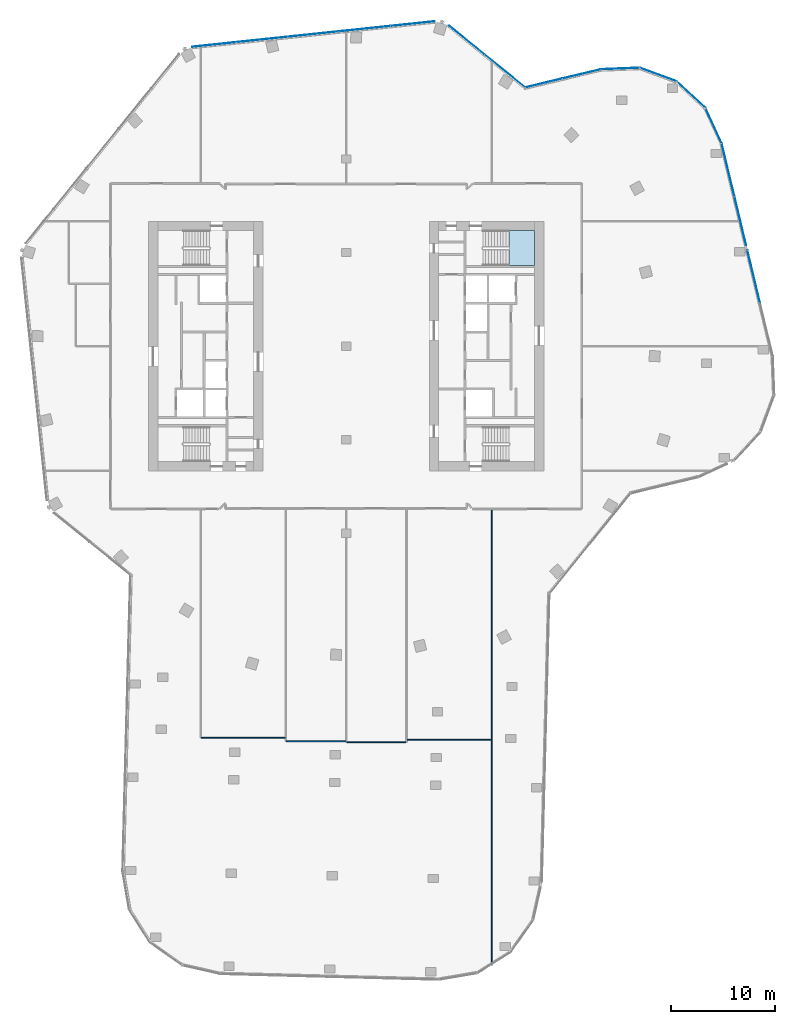
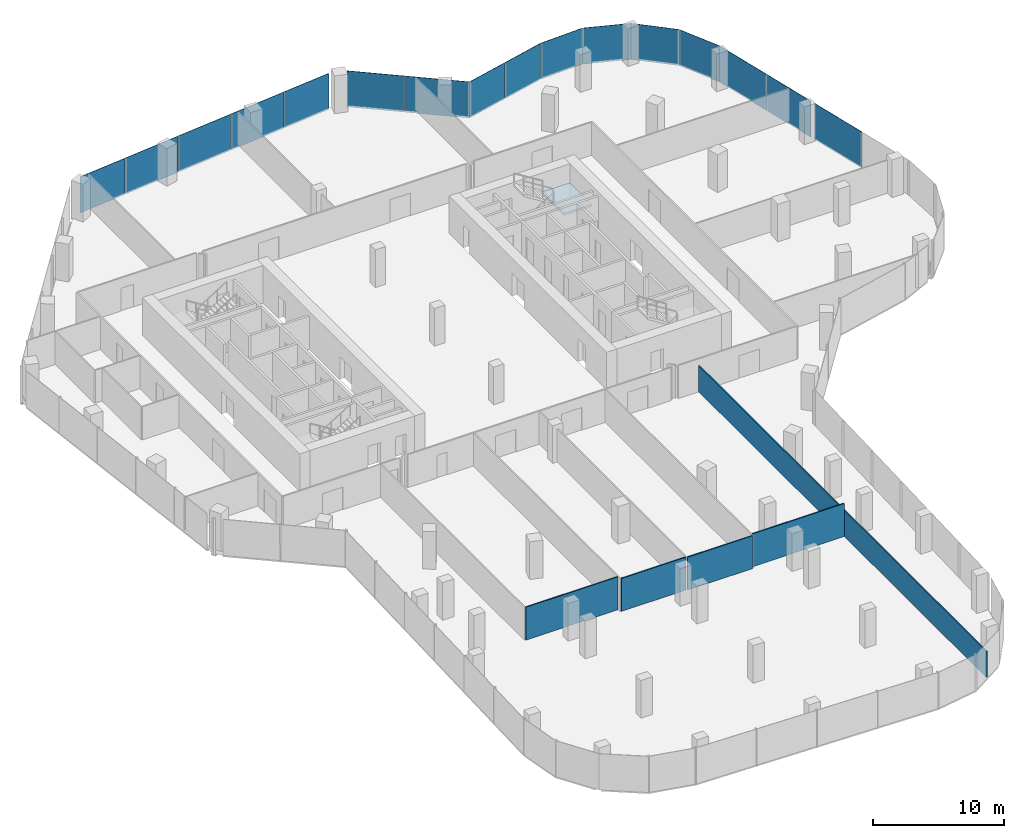
# One storey, part 19 of 26: 16 plates, 5 walls, 1 slab, 9 elements without a shape of their own.
"""IFC4 building model written with IfcOpenShell, lengths in metres."""

import ifcopenshell
import ifcopenshell.guid

model = None  # the IFC model being written
_history = None  # IfcOwnerHistory: only IFC2X3 demands one
_inside = {}  # id of a spatial element -> (the spatial element, [elements in it])
_under = {}  # id of a project, library or spatial element -> (it, [spatial elements below it])
_declared = {}  # id of a project -> (the project, [libraries it declares])
_typed = {}  # id of a type object -> (the type object, [elements of that type])
_made_of = {}  # id of a material, layer set ... -> (it, [elements and type objects made of it])


def new_model(schema):
    """Start an empty IFC model of exactly this schema.

    Asked for "IFC4X3", IfcOpenShell would pick the latest addendum, in which some entities
    have other attributes; the version numbers below select the first issue.
    IFC2X3 requires an IfcOwnerHistory on every rooted entity: one is made here for all.
    """
    global model, _history
    if schema == "IFC4X3":
        model = ifcopenshell.file(schema_version=(4, 3, 0, 0))
    else:
        model = ifcopenshell.file(schema=schema)
    _inside.clear()
    _under.clear()
    _declared.clear()
    _typed.clear()
    _made_of.clear()
    _history = None
    if model.schema == "IFC2X3":
        org = make("IfcOrganization", Name="unknown")
        user = make(
            "IfcPersonAndOrganization",
            ThePerson=make("IfcPerson", FamilyName="unknown"),
            TheOrganization=org,
        )
        app = make(
            "IfcApplication",
            ApplicationDeveloper=org,
            Version="unknown",
            ApplicationFullName="unknown",
            ApplicationIdentifier="unknown",
        )
        _history = make(
            "IfcOwnerHistory",
            OwningUser=user,
            OwningApplication=app,
            ChangeAction="ADDED",
            CreationDate=0,
        )
    return model


def make(cls, **values):
    """One entity of the class cls with the attributes given. An attribute that is None is left unset."""
    return model.create_entity(
        cls, **{name: value for name, value in values.items() if value is not None}
    )


def rooted(cls, **values):
    """An entity with a GlobalId (a new one), such as an element, a storey or a relation."""
    return make(cls, GlobalId=ifcopenshell.guid.new(), OwnerHistory=_history, **values)


def si_unit(unit_type, name, prefix=None):
    """IfcSIUnit, for example si_unit("LENGTHUNIT", "METRE", prefix="MILLI")."""
    return make("IfcSIUnit", UnitType=unit_type, Prefix=prefix, Name=name)


def assignment(units):
    """IfcUnitAssignment: the units of a project."""
    return None if units is None else make("IfcUnitAssignment", Units=units)


def point(xyz):
    """IfcCartesianPoint."""
    return None if xyz is None else make("IfcCartesianPoint", Coordinates=xyz)


def direction(xyz):
    """IfcDirection."""
    return None if xyz is None else make("IfcDirection", DirectionRatios=xyz)


def frame(location, z_axis=None, x_axis=None):
    """IfcAxis2Placement3D, a coordinate frame: its origin and axes. An axis left out is left unset."""
    return make(
        "IfcAxis2Placement3D",
        Location=point(location),
        Axis=direction(z_axis),
        RefDirection=direction(x_axis),
    )


def frame_2d(location, x_axis=None):
    """IfcAxis2Placement2D, a coordinate frame in the plane: its origin and x axis."""
    return make(
        "IfcAxis2Placement2D", Location=point(location), RefDirection=direction(x_axis)
    )


def origin():
    """The frame at (0, 0, 0) with its axes left unset."""
    return frame((0.0, 0.0, 0.0))


def origin_2d():
    """The frame at (0, 0) in the plane with its x axis left unset."""
    return frame_2d((0.0, 0.0))


def place(relative_to, where):
    """IfcLocalPlacement: puts the frame where relative to a parent placement (None: the world)."""
    return make(
        "IfcLocalPlacement", PlacementRelTo=relative_to, RelativePlacement=where
    )


def context(
    kind, dimensions, precision=None, world=None, true_north=None, identifier=None
):
    """IfcGeometricRepresentationContext, for example the 3D "Model" context."""
    return make(
        "IfcGeometricRepresentationContext",
        ContextIdentifier=identifier,
        ContextType=kind,
        CoordinateSpaceDimension=dimensions,
        Precision=precision,
        WorldCoordinateSystem=world,
        TrueNorth=true_north,
    )


def subcontext(parent, identifier, kind, view, scale=None):
    """IfcGeometricRepresentationSubContext, for example "Body" below "Model"."""
    return make(
        "IfcGeometricRepresentationSubContext",
        ContextIdentifier=identifier,
        ContextType=kind,
        ParentContext=parent,
        TargetScale=scale,
        TargetView=view,
    )


def project(units=None, contexts=None):
    """IfcProject with its units and contexts."""
    return rooted(
        "IfcProject",
        Name="project",
        RepresentationContexts=contexts,
        UnitsInContext=assignment(units),
    )


def spatial(cls, under=None, at=None, **own):
    """A site, building, storey or space (cls), placed at a placement, below another one or the project."""
    s = rooted(cls, ObjectPlacement=at, **own)
    if under is not None:
        _under.setdefault(under.id(), (under, []))[1].append(s)
    return s


def polyline(points):
    """IfcPolyline through the points."""
    return make("IfcPolyline", Points=[point(p) for p in points])


def profile(cls, at=None, kind="AREA", **sizes):
    """A parametric profile (cls). Its sizes go by their IFC names, for example OverallWidth=200.0."""
    return make(cls, ProfileType=kind, Position=at, **sizes)


def rectangle(**sizes):
    """IfcRectangleProfileDef."""
    return profile("IfcRectangleProfileDef", **sizes)


def outline(outer, holes=None, kind="AREA"):
    """IfcArbitraryClosedProfileDef: a profile drawn as a closed curve; with holes, ...WithVoids."""
    if holes is None:
        return make("IfcArbitraryClosedProfileDef", ProfileType=kind, OuterCurve=outer)
    return make(
        "IfcArbitraryProfileDefWithVoids",
        ProfileType=kind,
        OuterCurve=outer,
        InnerCurves=holes,
    )


def extrude(swept, where, along, depth):
    """IfcExtrudedAreaSolid: the profile swept, set in the frame where, extruded along a direction by depth."""
    return make(
        "IfcExtrudedAreaSolid",
        SweptArea=swept,
        Position=where,
        ExtrudedDirection=direction(along),
        Depth=depth,
    )


def shape(context_of_items, identifier, shape_type, items):
    """IfcShapeRepresentation: the items that make up one representation, for example the "Body"."""
    return make(
        "IfcShapeRepresentation",
        ContextOfItems=context_of_items,
        RepresentationIdentifier=identifier,
        RepresentationType=shape_type,
        Items=items,
    )


def material(Name=None, Category=None):
    """IfcMaterial."""
    return make("IfcMaterial", Name=Name, Category=Category)


def layer(
    of_material, thickness, ventilated=None, Name=None, Category=None, Priority=None
):
    """IfcMaterialLayer: one layer of a wall or slab, of a material (None: an air gap)."""
    return make(
        "IfcMaterialLayer",
        Material=of_material,
        LayerThickness=thickness,
        IsVentilated=ventilated,
        Name=Name,
        Category=Category,
        Priority=Priority,
    )


def layer_set(layers, Name=None):
    """IfcMaterialLayerSet."""
    return make("IfcMaterialLayerSet", MaterialLayers=layers, LayerSetName=Name)


def made_of(thing, what):
    """Note that an element or type object is made of a material, layer set ...; save() writes the relation."""
    if what is not None:
        _made_of.setdefault(what.id(), (what, []))[1].append(thing)
    return thing


def type_object(cls, material=None, **own):
    """A type object (cls), such as IfcWallType, which elements share."""
    return made_of(rooted(cls, **own), material)


def element(
    cls,
    number,
    at=None,
    inside=None,
    cuts=None,
    type_object=None,
    material=None,
    context=None,
    identifier="Body",
    shape_type=None,
    held_by="IfcProductDefinitionShape",
    body=None,
    shapes=None,
    **own,
):
    """One element of the class cls, such as IfcWall. Its Tag is "e" and its number.

    at: its placement. inside: the storey or other place that contains it. cuts: it is an
    opening in that element (IfcRelVoidsElement). A single representation is given by context,
    identifier, shape_type and body (its items); several are given by shapes. held_by: the class
    of the entity that holds the representations. save() writes the other relations.
    """
    e = rooted(cls, Tag="e%d" % number, ObjectPlacement=at, **own)
    if body is not None:
        shapes = [shape(context, identifier, shape_type, body)]
    if shapes is not None:
        e.Representation = make(held_by, Representations=shapes)
    if inside is not None:
        _inside.setdefault(inside.id(), (inside, []))[1].append(e)
    if cuts is not None:
        rooted(
            "IfcRelVoidsElement", RelatingBuildingElement=cuts, RelatedOpeningElement=e
        )
    if type_object is not None:
        _typed.setdefault(type_object.id(), (type_object, []))[1].append(e)
    return made_of(e, material)


def aggregate(whole, parts):
    """IfcRelAggregates: a whole, such as a stair, and the parts it consists of."""
    return rooted("IfcRelAggregates", RelatingObject=whole, RelatedObjects=parts)


def save(model, path):
    """Write the relations noted so far, then the file.

    IfcRelAggregates (storeys below a building ...), IfcRelContainedInSpatialStructure (elements
    in a storey), IfcRelDefinesByType, IfcRelAssociatesMaterial and IfcRelDeclares: one each for
    every whole, place, type object, material and project.
    """
    for whole, parts in _under.values():
        aggregate(whole, parts)
    for where, things in _inside.values():
        rooted(
            "IfcRelContainedInSpatialStructure",
            RelatedElements=things,
            RelatingStructure=where,
        )
    for kind, things in _typed.values():
        rooted("IfcRelDefinesByType", RelatedObjects=things, RelatingType=kind)
    for what, things in _made_of.values():
        rooted("IfcRelAssociatesMaterial", RelatedObjects=things, RelatingMaterial=what)
    for by, libraries in _declared.values():
        rooted("IfcRelDeclares", RelatingContext=by, RelatedDefinitions=libraries)
    model.write(path)


model = new_model("IFC4")

# Units and contexts
model_context = context("Model", 3, precision=1e-05, world=origin(), true_north=direction((0.0, 1.0)))
body_context = subcontext(model_context, "Body", "Model", "MODEL_VIEW")
ifc_project = project(units=[si_unit("LENGTHUNIT", "METRE"), si_unit("AREAUNIT", "SQUARE_METRE"), si_unit("VOLUMEUNIT", "CUBIC_METRE"), si_unit("PLANEANGLEUNIT", "RADIAN"), si_unit("MASSUNIT", "GRAM", prefix="KILO")], contexts=[model_context])

# Site, building, storey
site_placement = place(None, origin())
site = spatial("IfcSite", under=ifc_project, at=site_placement, CompositionType="ELEMENT")
building_placement = place(site_placement, origin())
building = spatial("IfcBuilding", under=site, at=building_placement, Name="Orlundy Tower", CompositionType="ELEMENT")
storey_placement = place(building_placement, frame((0.0, 0.0, 214.0)))
storey = spatial("IfcBuildingStorey", under=building, at=storey_placement, Name="L56", CompositionType="ELEMENT", Elevation=214.0)

# Curtain wall, plates
ifc_material_1 = material(Name="Aluminium bronze anodised", Category="aluminium")
curtain_wall_type = type_object("IfcCurtainWallType", Name="CW1 wall", PredefinedType="NOTDEFINED", material=ifc_material_1)
curtain_wall_1_placement = place(storey_placement, origin())
curtain_wall_1 = element("IfcCurtainWall", 1, at=curtain_wall_1_placement, inside=storey, type_object=curtain_wall_type, Name="CW1 run 04", PredefinedType="NOTDEFINED")
ifc_material_2 = material(Name="Tinted glass", Category="glass")
ifc_layer_1 = layer(ifc_material_2, 0.031982421875)
ifc_layer_set_1 = layer_set([ifc_layer_1], Name="CW1 glass panel 32")
plate_type = type_object("IfcPlateType", Name="CW1 glass panel 32", PredefinedType="CURTAIN_PANEL", material=ifc_layer_set_1)
plate_1_placement = place(storey_placement, frame((-12.695556640625, 28.99609375, -0.2802734375), z_axis=(0.0, 0.0, 1.0), x_axis=(0.994520875843, 0.104538162943, 0.0)))
plate_1 = element("IfcPlate", 2, at=plate_1_placement, type_object=plate_type, Name="CW1 panel", PredefinedType="CURTAIN_PANEL", context=body_context, shape_type="SweptSolid", body=[
    extrude(rectangle(XDim=4.228759765625, YDim=0.031982421875, at=origin_2d()), origin(), (0.0, 0.0, 1.0), 3.360107421875),
])
plate_2_placement = place(storey_placement, frame((-8.096435546875, 29.4794921875, -0.2802734375), z_axis=(0.0, 0.0, 1.0), x_axis=(0.994520875843, 0.104538162943, 0.0)))
plate_2 = element("IfcPlate", 3, at=plate_2_placement, type_object=plate_type, Name="CW1 panel", PredefinedType="CURTAIN_PANEL", context=body_context, shape_type="SweptSolid", body=[
    extrude(rectangle(XDim=4.92041015625, YDim=0.031982421875, at=origin_2d()), origin(), (0.0, 0.0, 1.0), 3.360107421875),
])
plate_3_placement = place(storey_placement, frame((-3.153076171875, 29.9990234375, -0.2802734375), z_axis=(0.0, 0.0, 1.0), x_axis=(0.994520875843, 0.104538162943, 0.0)))
plate_3 = element("IfcPlate", 4, at=plate_3_placement, type_object=plate_type, Name="CW1 panel", PredefinedType="CURTAIN_PANEL", context=body_context, shape_type="SweptSolid", body=[
    extrude(rectangle(XDim=4.92041015625, YDim=0.031982421875, at=origin_2d()), origin(), (0.0, 0.0, 1.0), 3.360107421875),
])
plate_4_placement = place(storey_placement, frame((1.7900390625, 30.518798828125, -0.2802734375), z_axis=(0.0, 0.0, 1.0), x_axis=(0.994520875843, 0.104538162943, 0.0)))
plate_4 = element("IfcPlate", 5, at=plate_4_placement, type_object=plate_type, Name="CW1 panel", PredefinedType="CURTAIN_PANEL", context=body_context, shape_type="SweptSolid", body=[
    extrude(rectangle(XDim=4.92041015625, YDim=0.031982421875, at=origin_2d()), origin(), (0.0, 0.0, 1.0), 3.360107421875),
])
plate_5_placement = place(storey_placement, frame((6.3896484375, 31.002197265625, -0.2802734375), z_axis=(0.0, 0.0, 1.0), x_axis=(0.994520875843, 0.104538162943, 0.0)))
plate_5 = element("IfcPlate", 6, at=plate_5_placement, type_object=plate_type, Name="CW1 panel", PredefinedType="CURTAIN_PANEL", context=body_context, shape_type="SweptSolid", body=[
    extrude(rectangle(XDim=4.229248046875, YDim=0.031982421875, at=origin_2d()), origin(), (0.0, 0.0, 1.0), 3.360107421875),
])
aggregate(curtain_wall_1, [plate_1, plate_2, plate_3, plate_4, plate_5])

curtain_wall_2_placement = place(storey_placement, origin())
curtain_wall_2 = element("IfcCurtainWall", 7, at=curtain_wall_2_placement, inside=storey, type_object=curtain_wall_type, Name="CW1 run 05", PredefinedType="NOTDEFINED")
plate_6_placement = place(storey_placement, frame((11.583251953125, 29.433837890625, -0.2802734375), z_axis=(0.0, 0.0, 1.0), x_axis=(0.777128847743, -0.629341524139, 0.0)))
plate_6 = element("IfcPlate", 8, at=plate_6_placement, type_object=plate_type, Name="CW1 panel", PredefinedType="CURTAIN_PANEL", context=body_context, shape_type="SweptSolid", body=[
    extrude(rectangle(XDim=4.37646484375, YDim=0.031982421875, at=origin_2d()), origin(), (0.0, 0.0, 1.0), 3.360107421875),
])
plate_7_placement = place(storey_placement, frame((15.2705078125, 26.44775390625, -0.2802734375), z_axis=(0.0, 0.0, 1.0), x_axis=(0.777128847743, -0.629341524139, 0.0)))
plate_7 = element("IfcPlate", 9, at=plate_7_placement, type_object=plate_type, Name="CW1 panel", PredefinedType="CURTAIN_PANEL", context=body_context, shape_type="SweptSolid", body=[
    extrude(rectangle(XDim=5.012939453125, YDim=0.031982421875, at=origin_2d()), origin(), (0.0, 0.0, 1.0), 3.360107421875),
])
aggregate(curtain_wall_2, [plate_6, plate_7])

curtain_wall_3_placement = place(storey_placement, origin())
curtain_wall_3 = element("IfcCurtainWall", 10, at=curtain_wall_3_placement, inside=storey, type_object=curtain_wall_type, Name="CW1 run 06", PredefinedType="NOTDEFINED")
plate_8_placement = place(storey_placement, frame((18.997802734375, 25.2978515625, -0.2802734375), z_axis=(0.0, 0.0, 1.0), x_axis=(0.972349931339, 0.233528608579, 0.0)))
plate_8 = element("IfcPlate", 11, at=plate_8_placement, type_object=plate_type, Name="CW1 panel", PredefinedType="CURTAIN_PANEL", context=body_context, shape_type="SweptSolid", body=[
    extrude(rectangle(XDim=3.66015625, YDim=0.031982421875, at=origin_2d()), origin(), (0.0, 0.0, 1.0), 3.360107421875),
])
plate_9_placement = place(storey_placement, frame((22.640625, 26.172607421875, -0.2802734375), z_axis=(0.0, 0.0, 1.0), x_axis=(0.972349931339, 0.233528608579, 0.0)))
plate_9 = element("IfcPlate", 12, at=plate_9_placement, type_object=plate_type, Name="CW1 panel", PredefinedType="CURTAIN_PANEL", context=body_context, shape_type="SweptSolid", body=[
    extrude(rectangle(XDim=3.732177734375, YDim=0.031982421875, at=origin_2d()), origin(), (0.0, 0.0, 1.0), 3.360107421875),
])
aggregate(curtain_wall_3, [plate_8, plate_9])

# Curtain wall, plate
curtain_wall_4_placement = place(storey_placement, origin())
curtain_wall_4 = element("IfcCurtainWall", 13, at=curtain_wall_4_placement, inside=storey, type_object=curtain_wall_type, Name="CW1 run 07", PredefinedType="NOTDEFINED")
plate_10_placement = place(storey_placement, frame((26.368408203125, 26.688232421875, -0.2802734375), z_axis=(0.0, 0.0, 1.0), x_axis=(0.999234640913, 0.039116906831, 0.0)))
plate_10 = element("IfcPlate", 14, at=plate_10_placement, type_object=plate_type, Name="CW1 panel", PredefinedType="CURTAIN_PANEL", context=body_context, shape_type="SweptSolid", body=[
    extrude(rectangle(XDim=3.73046875, YDim=0.031982421875, at=origin_2d()), origin(), (0.0, 0.0, 1.0), 3.360107421875),
])
aggregate(curtain_wall_4, [plate_10])

curtain_wall_5_placement = place(storey_placement, origin())
curtain_wall_5 = element("IfcCurtainWall", 15, at=curtain_wall_5_placement, inside=storey, type_object=curtain_wall_type, Name="CW1 run 08", PredefinedType="NOTDEFINED")
plate_11_placement = place(storey_placement, frame((30.001708984375, 26.1083984375, -0.2802734375), z_axis=(0.0, 0.0, 1.0), x_axis=(0.938200265188, -0.346092852283, 0.0)))
plate_11 = element("IfcPlate", 16, at=plate_11_placement, type_object=plate_type, Name="CW1 panel", PredefinedType="CURTAIN_PANEL", context=body_context, shape_type="SweptSolid", body=[
    extrude(rectangle(XDim=3.772216796875, YDim=0.031982421875, at=origin_2d()), origin(), (0.0, 0.0, 1.0), 3.360107421875),
])
aggregate(curtain_wall_5, [plate_11])

curtain_wall_6_placement = place(storey_placement, origin())
curtain_wall_6 = element("IfcCurtainWall", 17, at=curtain_wall_6_placement, inside=storey, type_object=curtain_wall_type, Name="CW1 run 09", PredefinedType="NOTDEFINED")
plate_12_placement = place(storey_placement, frame((33.15625, 24.175537109375, -0.2802734375), z_axis=(0.0, 0.0, 1.0), x_axis=(0.734348182738, -0.678772971258, 0.0)))
plate_12 = element("IfcPlate", 18, at=plate_12_placement, type_object=plate_type, Name="CW1 panel", PredefinedType="CURTAIN_PANEL", context=body_context, shape_type="SweptSolid", body=[
    extrude(rectangle(XDim=3.77197265625, YDim=0.031982421875, at=origin_2d()), origin(), (0.0, 0.0, 1.0), 3.360107421875),
])
aggregate(curtain_wall_6, [plate_12])

curtain_wall_7_placement = place(storey_placement, origin())
curtain_wall_7 = element("IfcCurtainWall", 19, at=curtain_wall_7_placement, inside=storey, type_object=curtain_wall_type, Name="CW1 run 010", PredefinedType="NOTDEFINED")
plate_13_placement = place(storey_placement, frame((35.32177734375, 21.201416015625, -0.2802734375), z_axis=(0.0, 0.0, 1.0), x_axis=(0.418493445182, -0.908219817192, 0.0)))
plate_13 = element("IfcPlate", 20, at=plate_13_placement, type_object=plate_type, Name="CW1 panel", PredefinedType="CURTAIN_PANEL", context=body_context, shape_type="SweptSolid", body=[
    extrude(rectangle(XDim=3.729736328125, YDim=0.031982421875, at=origin_2d()), origin(), (0.0, 0.0, 1.0), 3.360107421875),
])
aggregate(curtain_wall_7, [plate_13])

# Curtain wall, plates
curtain_wall_8_placement = place(storey_placement, origin())
curtain_wall_8 = element("IfcCurtainWall", 21, at=curtain_wall_8_placement, inside=storey, type_object=curtain_wall_type, Name="CW1 run 011", PredefinedType="NOTDEFINED")
plate_14_placement = place(storey_placement, frame((36.7275390625, 16.924560546875, -0.2802734375), z_axis=(0.0, 0.0, 1.0), x_axis=(0.233472005748, -0.972363523859, 0.0)))
plate_14 = element("IfcPlate", 22, at=plate_14_placement, type_object=plate_type, Name="CW1 panel", PredefinedType="CURTAIN_PANEL", context=body_context, shape_type="SweptSolid", body=[
    extrude(rectangle(XDim=5.216064453125, YDim=0.031982421875, at=origin_2d()), origin(), (0.0, 0.0, 1.0), 3.360107421875),
])
plate_15_placement = place(storey_placement, frame((37.907470703125, 12.010498046875, -0.2802734375), z_axis=(0.0, 0.0, 1.0), x_axis=(0.233472005748, -0.972363523859, 0.0)))
plate_15 = element("IfcPlate", 23, at=plate_15_placement, type_object=plate_type, Name="CW1 panel", PredefinedType="CURTAIN_PANEL", context=body_context, shape_type="SweptSolid", body=[
    extrude(rectangle(XDim=4.79150390625, YDim=0.031982421875, at=origin_2d()), origin(), (0.0, 0.0, 1.0), 3.360107421875),
])
plate_16_placement = place(storey_placement, frame((39.180908203125, 6.706787109375, -0.2802734375), z_axis=(0.0, 0.0, 1.0), x_axis=(0.233472005748, -0.972363523859, 0.0)))
plate_16 = element("IfcPlate", 24, at=plate_16_placement, type_object=plate_type, Name="CW1 panel", PredefinedType="CURTAIN_PANEL", context=body_context, shape_type="SweptSolid", body=[
    extrude(rectangle(XDim=5.2001953125, YDim=0.031982421875, at=origin_2d()), origin(), (0.0, 0.0, 1.0), 3.360107421875),
])
aggregate(curtain_wall_8, [plate_14, plate_15, plate_16])

# Stair, slab
ifc_material_3 = material(Name="Concrete C50/60", Category="concrete")
stair_type = type_object("IfcStairType", Name="Exit Stair 20 risers", PredefinedType="HALF_TURN_STAIR", material=ifc_material_3)
stair_placement = place(storey_placement, origin())
stair = element("IfcStair", 25, at=stair_placement, inside=storey, type_object=stair_type, Name="L56 Exit Stair ST-E2", PredefinedType="HALF_TURN_STAIR")
ifc_material_4 = material(Name="Concrete C50/60", Category="concrete")
ifc_layer_2 = layer(ifc_material_4, 0.199951171875)
ifc_layer_set_2 = layer_set([ifc_layer_2], Name="Exit Stair Landing")
slab_type = type_object("IfcSlabType", Name="Exit Stair Landing", PredefinedType="LANDING", material=ifc_layer_set_2)
slab_placement = place(storey_placement, frame((0.0, 0.0, 1.550048828125)))
slab = element("IfcSlab", 26, at=slab_placement, type_object=slab_type, Name="ST-E2 landing 1", PredefinedType="LANDING", context=body_context, shape_type="SweptSolid", body=[
    extrude(outline(polyline([(15.659912109375, 7.75), (18.10009765625, 7.75), (18.10009765625, 11.10009765625), (15.659912109375, 11.10009765625), (15.659912109375, 7.75)])), origin(), (0.0, 0.0, 1.0), 0.199951171875),
])
aggregate(stair, [slab])

# Walls
ifc_material_5 = material(Name="Gypsum board partition")
ifc_layer_3 = layer(ifc_material_5, 0.10009765625)
ifc_layer_set_3 = layer_set([ifc_layer_3], Name="Floor partition 100")
wall_type_1 = type_object("IfcWallType", Name="Floor partition 100", PredefinedType="PARTITIONING", material=ifc_layer_set_3)
wall_1_placement = place(storey_placement, frame((0.050048828125, -38.06103515625, 0.0), z_axis=(0.0, 0.0, 1.0), x_axis=(1.0, 0.0, 0.0)))
element("IfcWall", 27, at=wall_1_placement, inside=storey, type_object=wall_type_1, Name="wall-int-L56-004", PredefinedType="PARTITIONING", context=body_context, shape_type="SweptSolid", body=[
    extrude(rectangle(XDim=5.699951171875, YDim=0.10009765625, at=frame_2d((2.85009765625, 0.0))), origin(), (0.0, 0.0, 1.0), 3.06005859375),
])
wall_2_placement = place(storey_placement, frame((-5.7490234375, -37.985107421875, 0.0), z_axis=(0.0, 0.0, 1.0), x_axis=(1.0, 0.0, 0.0)))
element("IfcWall", 28, at=wall_2_placement, inside=storey, type_object=wall_type_1, Name="wall-int-L56-005", PredefinedType="PARTITIONING", context=body_context, shape_type="SweptSolid", body=[
    extrude(rectangle(XDim=5.698974609375, YDim=0.10009765625, at=frame_2d((2.849609375, 0.0))), origin(), (0.0, 0.0, 1.0), 3.06005859375),
])
wall_3_placement = place(storey_placement, frame((5.85009765625, -37.847900390625, 0.0), z_axis=(0.0, 0.0, 1.0), x_axis=(1.0, 0.0, 0.0)))
element("IfcWall", 29, at=wall_3_placement, inside=storey, type_object=wall_type_1, Name="wall-int-L56-006", PredefinedType="PARTITIONING", context=body_context, shape_type="SweptSolid", body=[
    extrude(rectangle(XDim=8.099853515625, YDim=0.10009765625, at=frame_2d((4.0498046875, 0.0))), origin(), (0.0, 0.0, 1.0), 3.06005859375),
])
wall_4_placement = place(storey_placement, frame((-13.949951171875, -37.655029296875, 0.0), z_axis=(0.0, 0.0, 1.0), x_axis=(1.0, 0.0, 0.0)))
element("IfcWall", 30, at=wall_4_placement, inside=storey, type_object=wall_type_1, Name="wall-int-L56-007", PredefinedType="PARTITIONING", context=body_context, shape_type="SweptSolid", body=[
    extrude(rectangle(XDim=8.100830078125, YDim=0.10009765625, at=frame_2d((4.05029296875, 0.0))), origin(), (0.0, 0.0, 1.0), 3.06005859375),
])
ifc_material_6 = material(Name="Gypsum board partition")
ifc_layer_4 = layer(ifc_material_6, 0.10009765625)
ifc_layer_set_4 = layer_set([ifc_layer_4], Name="Floor partition 100 B")
wall_type_2 = type_object("IfcWallType", Name="Floor partition 100 B", PredefinedType="PARTITIONING", material=ifc_layer_set_4)
wall_5_placement = place(storey_placement, frame((14.0, -59.51708984375, 0.0), z_axis=(0.0, 0.0, 1.0), x_axis=(0.0, 1.0, 0.0)))
element("IfcWall", 31, at=wall_5_placement, inside=storey, type_object=wall_type_2, Name="wall-int-L56-025", PredefinedType="PARTITIONING", context=body_context, shape_type="SweptSolid", body=[
    extrude(rectangle(XDim=43.80419921875, YDim=0.10009765625, at=frame_2d((21.902099609375, 0.0))), origin(), (0.0, 0.0, 1.0), 2.425048828125),
])

save(model, "model.ifc")
